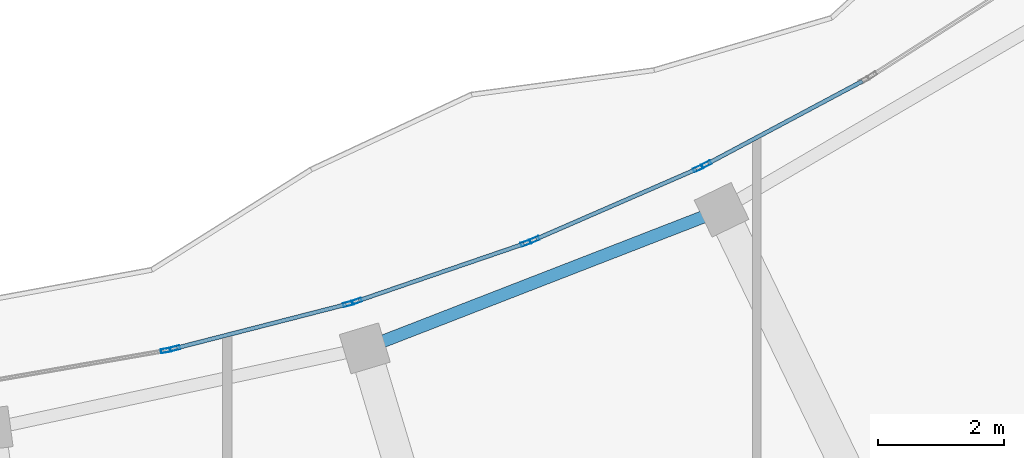
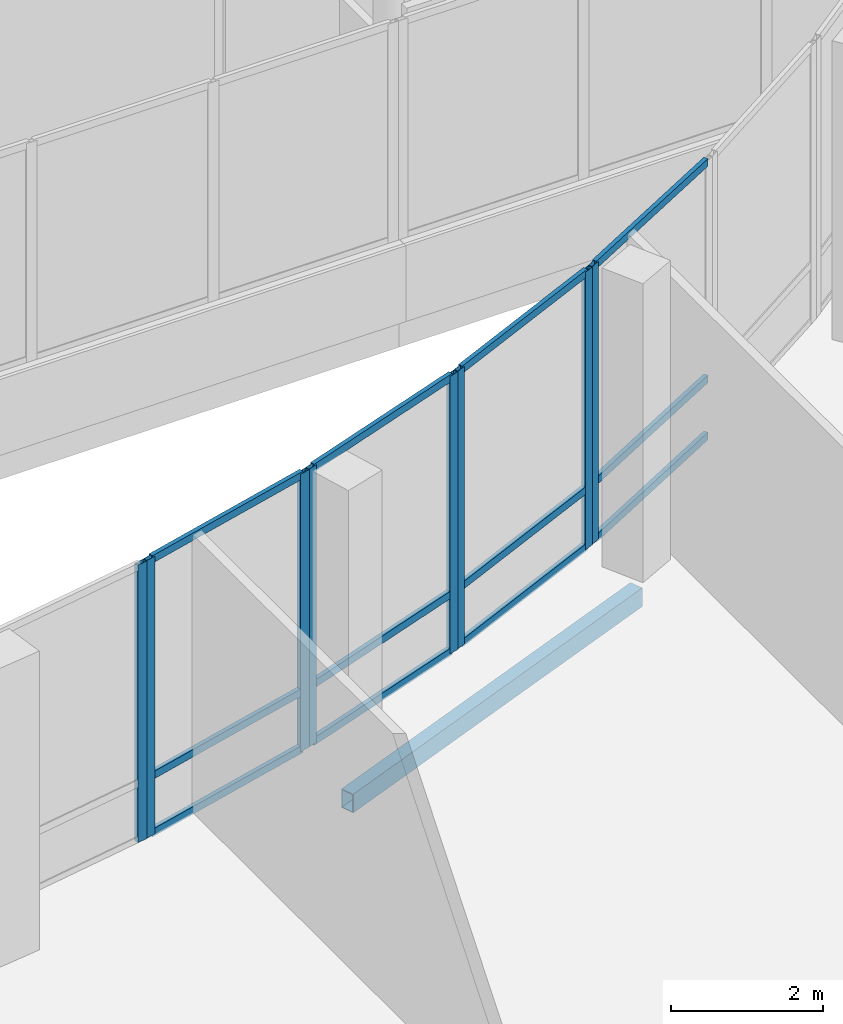
# One storey, part 35 of 155: 20 members, 1 beam, 5 elements without a shape of their own.
"""IFC4 building model written with IfcOpenShell, lengths in metres."""

from ifc_helpers import new_model, si_unit, direction, frame, origin, origin_2d, place, context, subcontext, project, spatial, hollow_rectangle, extrude, material, material_profile, profile_set, type_object, element, aggregate, save


model = new_model("IFC4")

# Units and contexts
model_context = context("Model", 3, precision=1e-05, world=origin(), true_north=direction((0.0, 1.0)))
body_context = subcontext(model_context, "Body", "Model", "MODEL_VIEW")
ifc_project = project(units=[si_unit("LENGTHUNIT", "METRE"), si_unit("AREAUNIT", "SQUARE_METRE"), si_unit("VOLUMEUNIT", "CUBIC_METRE"), si_unit("PLANEANGLEUNIT", "RADIAN"), si_unit("MASSUNIT", "GRAM", prefix="KILO")], contexts=[model_context])

# Site, building, storey
site_placement = place(None, origin())
site = spatial("IfcSite", under=ifc_project, at=site_placement, CompositionType="ELEMENT")
building_placement = place(site_placement, origin())
building = spatial("IfcBuilding", under=site, at=building_placement, Name="Selatvlak General Hospital", CompositionType="ELEMENT")
storey_placement = place(building_placement, frame((0.0, 0.0, 10.199951171875)))
storey = spatial("IfcBuildingStorey", under=building, at=storey_placement, Name="L02", CompositionType="ELEMENT", Elevation=10.199951171875)

# Beam
ifc_material_1 = material(Name="Steel S355", Category="steel")
ifc_material_profile_1 = material_profile(ifc_material_1, hollow_rectangle(XDim=0.199951171875, YDim=0.300048828125, WallThickness=0.011962890625, at=origin_2d()), Name="RHS 300x200x12")
ifc_profile_set_1 = profile_set([ifc_material_profile_1], Name="Steel S355")
beam_type = type_object("IfcBeamType", Name="BM-SP3", PredefinedType="SPANDREL", material=ifc_profile_set_1)
beam_placement = place(storey_placement, frame((66.97900390625, 42.861083984375, -0.5048828125), z_axis=(0.932142667184, 0.362091215048, 0.0), x_axis=(-0.362091215048, 0.932142667184, 0.0)))
element("IfcBeam", 1, at=beam_placement, inside=storey, type_object=beam_type, Name="Beam BMR-L02-1129", PredefinedType="SPANDREL", context=body_context, shape_type="SweptSolid", body=[
    extrude(hollow_rectangle(XDim=0.199951171875, YDim=0.300048828125, WallThickness=0.011962890625, at=origin_2d()), origin(), (0.0, 0.0, 1.0), 6.072998046875),
])

# Curtain wall, member
ifc_material_2 = material(Name="Solar-control Low-E double glazing", Category="glass")
curtain_wall_type_1 = type_object("IfcCurtainWallType", Name="CW-CW-01", PredefinedType="USERDEFINED", material=ifc_material_2)
curtain_wall_1_placement = place(storey_placement, origin())
curtain_wall_1 = element("IfcCurtainWall", 2, at=curtain_wall_1_placement, inside=storey, type_object=curtain_wall_type_1, Name="Glazed facade curtain wall CW-L02-0331", ObjectType="UNITISED CURTAIN WALL", PredefinedType="USERDEFINED")
ifc_material_3 = material(Name="Dark anodised aluminium mullion", Category="aluminium")
ifc_material_profile_2 = material_profile(ifc_material_3, hollow_rectangle(XDim=0.06494140625, YDim=0.159912109375, WallThickness=0.00390625, at=origin_2d()), Name="AL-MUL 65x160x4")
ifc_profile_set_2 = profile_set([ifc_material_profile_2], Name="Dark anodised aluminium mullion")
member_type_1 = type_object("IfcMemberType", Name="CWM-01", PredefinedType="MULLION", material=ifc_profile_set_2)
member_1_placement = place(storey_placement, frame((63.823974609375, 42.827392578125, 0.0), z_axis=(0.0, 0.0, 1.0), x_axis=(-0.170657302344, 0.985330444651, 0.0)))
member_1 = element("IfcMember", 3, at=member_1_placement, type_object=member_type_1, Name="CW-01 mullion 2", PredefinedType="MULLION", context=body_context, shape_type="SweptSolid", body=[
    extrude(hollow_rectangle(XDim=0.06494140625, YDim=0.159912109375, WallThickness=0.00390625, at=origin_2d()), origin(), (0.0, 0.0, 1.0), 4.4599609375),
])
aggregate(curtain_wall_1, [member_1])

# Curtain wall, members
curtain_wall_type_2 = type_object("IfcCurtainWallType", Name="CW-CW-02", PredefinedType="USERDEFINED", material=ifc_material_2)
curtain_wall_2_placement = place(storey_placement, origin())
curtain_wall_2 = element("IfcCurtainWall", 4, at=curtain_wall_2_placement, inside=storey, type_object=curtain_wall_type_2, Name="Glazed facade curtain wall CW-L02-0332", ObjectType="UNITISED CURTAIN WALL", PredefinedType="USERDEFINED")
member_2_placement = place(storey_placement, frame((63.965576171875, 42.860107421875, 0.0), z_axis=(0.0, 0.0, 1.0), x_axis=(-0.248607304863, 0.968604360907, 0.0)))
member_2 = element("IfcMember", 5, at=member_2_placement, type_object=member_type_1, Name="CW-02 mullion 1", PredefinedType="MULLION", context=body_context, shape_type="SweptSolid", body=[
    extrude(hollow_rectangle(XDim=0.06494140625, YDim=0.159912109375, WallThickness=0.00390625, at=origin_2d()), origin(), (0.0, 0.0, 1.0), 4.4599609375),
])
member_3_placement = place(storey_placement, frame((66.715576171875, 43.56591796875, 0.0), z_axis=(0.0, 0.0, 1.0), x_axis=(-0.248607304863, 0.968604360907, 0.0)))
member_3 = element("IfcMember", 6, at=member_3_placement, type_object=member_type_1, Name="CW-02 mullion 2", PredefinedType="MULLION", context=body_context, shape_type="SweptSolid", body=[
    extrude(hollow_rectangle(XDim=0.06494140625, YDim=0.159912109375, WallThickness=0.00390625, at=origin_2d()), origin(), (0.0, 0.0, 1.0), 4.4599609375),
])

curtain_wall_3_placement = place(storey_placement, origin())
curtain_wall_3 = element("IfcCurtainWall", 7, at=curtain_wall_3_placement, inside=storey, type_object=curtain_wall_type_1, Name="Glazed facade curtain wall CW-L02-0333", ObjectType="UNITISED CURTAIN WALL", PredefinedType="USERDEFINED")
member_4_placement = place(storey_placement, frame((66.853759765625, 43.609619140625, 0.0), z_axis=(0.0, 0.0, 1.0), x_axis=(-0.324491825998, 0.945888500226, 0.0)))
member_4 = element("IfcMember", 8, at=member_4_placement, type_object=member_type_1, Name="CW-01 mullion 1", PredefinedType="MULLION", context=body_context, shape_type="SweptSolid", body=[
    extrude(hollow_rectangle(XDim=0.06494140625, YDim=0.159912109375, WallThickness=0.00390625, at=origin_2d()), origin(), (0.0, 0.0, 1.0), 4.4599609375),
])
member_5_placement = place(storey_placement, frame((69.53515625, 44.529541015625, 0.0), z_axis=(0.0, 0.0, 1.0), x_axis=(-0.324491825998, 0.945888500226, 0.0)))
member_5 = element("IfcMember", 9, at=member_5_placement, type_object=member_type_1, Name="CW-01 mullion 2", PredefinedType="MULLION", context=body_context, shape_type="SweptSolid", body=[
    extrude(hollow_rectangle(XDim=0.06494140625, YDim=0.159912109375, WallThickness=0.00390625, at=origin_2d()), origin(), (0.0, 0.0, 1.0), 4.4599609375),
])

curtain_wall_4_placement = place(storey_placement, origin())
curtain_wall_4 = element("IfcCurtainWall", 10, at=curtain_wall_4_placement, inside=storey, type_object=curtain_wall_type_2, Name="Glazed facade curtain wall CW-L02-0334", ObjectType="UNITISED CURTAIN WALL", PredefinedType="USERDEFINED")
member_6_placement = place(storey_placement, frame((69.669677734375, 44.583984375, 0.0), z_axis=(0.0, 0.0, 1.0), x_axis=(-0.399117101371, 0.916899961497, 0.0)))
member_6 = element("IfcMember", 11, at=member_6_placement, type_object=member_type_1, Name="CW-02 mullion 1", PredefinedType="MULLION", context=body_context, shape_type="SweptSolid", body=[
    extrude(hollow_rectangle(XDim=0.06494140625, YDim=0.159912109375, WallThickness=0.00390625, at=origin_2d()), origin(), (0.0, 0.0, 1.0), 4.4599609375),
])
member_7_placement = place(storey_placement, frame((72.268310546875, 45.715087890625, 0.0), z_axis=(0.0, 0.0, 1.0), x_axis=(-0.399117101371, 0.916899961497, 0.0)))
member_7 = element("IfcMember", 12, at=member_7_placement, type_object=member_type_1, Name="CW-02 mullion 2", PredefinedType="MULLION", context=body_context, shape_type="SweptSolid", body=[
    extrude(hollow_rectangle(XDim=0.06494140625, YDim=0.159912109375, WallThickness=0.00390625, at=origin_2d()), origin(), (0.0, 0.0, 1.0), 4.4599609375),
])

# Curtain wall, member
curtain_wall_5_placement = place(storey_placement, origin())
curtain_wall_5 = element("IfcCurtainWall", 13, at=curtain_wall_5_placement, inside=storey, type_object=curtain_wall_type_1, Name="Glazed facade curtain wall CW-L02-0335", ObjectType="UNITISED CURTAIN WALL", PredefinedType="USERDEFINED")
member_8_placement = place(storey_placement, frame((72.397705078125, 45.7802734375, 0.0), z_axis=(0.0, 0.0, 1.0), x_axis=(-0.470338020096, 0.88248634372, 0.0)))
member_8 = element("IfcMember", 14, at=member_8_placement, type_object=member_type_1, Name="CW-01 mullion 1", PredefinedType="MULLION", context=body_context, shape_type="SweptSolid", body=[
    extrude(hollow_rectangle(XDim=0.06494140625, YDim=0.159912109375, WallThickness=0.00390625, at=origin_2d()), origin(), (0.0, 0.0, 1.0), 4.4599609375),
])

# Member
ifc_material_profile_3 = material_profile(ifc_material_3, hollow_rectangle(XDim=0.06494140625, YDim=0.1201171875, WallThickness=0.00390625, at=origin_2d()), Name="AL-TRN 65x120x4")
ifc_profile_set_3 = profile_set([ifc_material_profile_3], Name="Dark anodised aluminium mullion")
member_type_2 = type_object("IfcMemberType", Name="CWT-01", PredefinedType="USERDEFINED", material=ifc_profile_set_3)
member_9_placement = place(storey_placement, frame((63.9970703125, 42.8681640625, 0.032470703125), z_axis=(0.96860140011, 0.248618840206, 0.0), x_axis=(-0.248618840206, 0.96860140011, 0.0)))
member_9 = element("IfcMember", 15, at=member_9_placement, type_object=member_type_2, Name="CW-02 transom 1.1", ObjectType="TRANSOM", PredefinedType="USERDEFINED", context=body_context, shape_type="SweptSolid", body=[
    extrude(hollow_rectangle(XDim=0.06494140625, YDim=0.1201171875, WallThickness=0.00390625, at=origin_2d()), origin(), (0.0, 0.0, 1.0), 2.774169921875),
])

member_10_placement = place(storey_placement, frame((63.9970703125, 42.8681640625, 0.949951171875), z_axis=(0.96860140011, 0.248618840206, 0.0), x_axis=(-0.248618840206, 0.96860140011, 0.0)))
member_10 = element("IfcMember", 16, at=member_10_placement, type_object=member_type_2, Name="CW-02 transom 1.2", ObjectType="TRANSOM", PredefinedType="USERDEFINED", context=body_context, shape_type="SweptSolid", body=[
    extrude(hollow_rectangle(XDim=0.06494140625, YDim=0.1201171875, WallThickness=0.00390625, at=origin_2d()), origin(), (0.0, 0.0, 1.0), 2.774169921875),
])

member_11_placement = place(storey_placement, frame((63.9970703125, 42.8681640625, 4.427490234375), z_axis=(0.96860140011, 0.248618840206, 0.0), x_axis=(-0.248618840206, 0.96860140011, 0.0)))
member_11 = element("IfcMember", 17, at=member_11_placement, type_object=member_type_2, Name="CW-02 transom 1.3", ObjectType="TRANSOM", PredefinedType="USERDEFINED", context=body_context, shape_type="SweptSolid", body=[
    extrude(hollow_rectangle(XDim=0.06494140625, YDim=0.1201171875, WallThickness=0.00390625, at=origin_2d()), origin(), (0.0, 0.0, 1.0), 2.774169921875),
])

aggregate(curtain_wall_2, [member_2, member_3, member_9, member_10, member_11])

member_12_placement = place(storey_placement, frame((66.884521484375, 43.6201171875, 0.032470703125), z_axis=(0.945906537213, 0.324439243709, 0.0), x_axis=(-0.324439243709, 0.945906537213, 0.0)))
member_12 = element("IfcMember", 18, at=member_12_placement, type_object=member_type_2, Name="CW-01 transom 1.1", ObjectType="TRANSOM", PredefinedType="USERDEFINED", context=body_context, shape_type="SweptSolid", body=[
    extrude(hollow_rectangle(XDim=0.06494140625, YDim=0.1201171875, WallThickness=0.00390625, at=origin_2d()), origin(), (0.0, 0.0, 1.0), 2.77001953125),
])

member_13_placement = place(storey_placement, frame((66.884521484375, 43.6201171875, 0.949951171875), z_axis=(0.945906537213, 0.324439243709, 0.0), x_axis=(-0.324439243709, 0.945906537213, 0.0)))
member_13 = element("IfcMember", 19, at=member_13_placement, type_object=member_type_2, Name="CW-01 transom 1.2", ObjectType="TRANSOM", PredefinedType="USERDEFINED", context=body_context, shape_type="SweptSolid", body=[
    extrude(hollow_rectangle(XDim=0.06494140625, YDim=0.1201171875, WallThickness=0.00390625, at=origin_2d()), origin(), (0.0, 0.0, 1.0), 2.77001953125),
])

member_14_placement = place(storey_placement, frame((66.884521484375, 43.6201171875, 4.427490234375), z_axis=(0.945906537213, 0.324439243709, 0.0), x_axis=(-0.324439243709, 0.945906537213, 0.0)))
member_14 = element("IfcMember", 20, at=member_14_placement, type_object=member_type_2, Name="CW-01 transom 1.3", ObjectType="TRANSOM", PredefinedType="USERDEFINED", context=body_context, shape_type="SweptSolid", body=[
    extrude(hollow_rectangle(XDim=0.06494140625, YDim=0.1201171875, WallThickness=0.00390625, at=origin_2d()), origin(), (0.0, 0.0, 1.0), 2.77001953125),
])

aggregate(curtain_wall_3, [member_4, member_5, member_12, member_13, member_14])

member_15_placement = place(storey_placement, frame((69.69970703125, 44.596923828125, 0.032470703125), z_axis=(0.916872279603, 0.399180689533, 0.0), x_axis=(-0.399180689533, 0.916872279603, 0.0)))
member_15 = element("IfcMember", 21, at=member_15_placement, type_object=member_type_2, Name="CW-02 transom 1.1", ObjectType="TRANSOM", PredefinedType="USERDEFINED", context=body_context, shape_type="SweptSolid", body=[
    extrude(hollow_rectangle(XDim=0.06494140625, YDim=0.1201171875, WallThickness=0.00390625, at=origin_2d()), origin(), (0.0, 0.0, 1.0), 2.768798828125),
])

member_16_placement = place(storey_placement, frame((69.69970703125, 44.596923828125, 0.949951171875), z_axis=(0.916872279603, 0.399180689533, 0.0), x_axis=(-0.399180689533, 0.916872279603, 0.0)))
member_16 = element("IfcMember", 22, at=member_16_placement, type_object=member_type_2, Name="CW-02 transom 1.2", ObjectType="TRANSOM", PredefinedType="USERDEFINED", context=body_context, shape_type="SweptSolid", body=[
    extrude(hollow_rectangle(XDim=0.06494140625, YDim=0.1201171875, WallThickness=0.00390625, at=origin_2d()), origin(), (0.0, 0.0, 1.0), 2.768798828125),
])

member_17_placement = place(storey_placement, frame((69.69970703125, 44.596923828125, 4.427490234375), z_axis=(0.916872279603, 0.399180689533, 0.0), x_axis=(-0.399180689533, 0.916872279603, 0.0)))
member_17 = element("IfcMember", 23, at=member_17_placement, type_object=member_type_2, Name="CW-02 transom 1.3", ObjectType="TRANSOM", PredefinedType="USERDEFINED", context=body_context, shape_type="SweptSolid", body=[
    extrude(hollow_rectangle(XDim=0.06494140625, YDim=0.1201171875, WallThickness=0.00390625, at=origin_2d()), origin(), (0.0, 0.0, 1.0), 2.768798828125),
])

aggregate(curtain_wall_4, [member_6, member_7, member_15, member_16, member_17])

member_18_placement = place(storey_placement, frame((72.42626953125, 45.795654296875, 0.032470703125), z_axis=(0.882528266183, 0.470259353323, 0.0), x_axis=(-0.470259353323, 0.882528266183, 0.0)))
member_18 = element("IfcMember", 24, at=member_18_placement, type_object=member_type_2, Name="CW-01 transom 1.1", ObjectType="TRANSOM", PredefinedType="USERDEFINED", context=body_context, shape_type="SweptSolid", body=[
    extrude(hollow_rectangle(XDim=0.06494140625, YDim=0.1201171875, WallThickness=0.00390625, at=origin_2d()), origin(), (0.0, 0.0, 1.0), 2.7744140625),
])

member_19_placement = place(storey_placement, frame((72.42626953125, 45.795654296875, 0.949951171875), z_axis=(0.882528266183, 0.470259353323, 0.0), x_axis=(-0.470259353323, 0.882528266183, 0.0)))
member_19 = element("IfcMember", 25, at=member_19_placement, type_object=member_type_2, Name="CW-01 transom 1.2", ObjectType="TRANSOM", PredefinedType="USERDEFINED", context=body_context, shape_type="SweptSolid", body=[
    extrude(hollow_rectangle(XDim=0.06494140625, YDim=0.1201171875, WallThickness=0.00390625, at=origin_2d()), origin(), (0.0, 0.0, 1.0), 2.7744140625),
])

member_20_placement = place(storey_placement, frame((72.42626953125, 45.795654296875, 4.427490234375), z_axis=(0.882528266183, 0.470259353323, 0.0), x_axis=(-0.470259353323, 0.882528266183, 0.0)))
member_20 = element("IfcMember", 26, at=member_20_placement, type_object=member_type_2, Name="CW-01 transom 1.3", ObjectType="TRANSOM", PredefinedType="USERDEFINED", context=body_context, shape_type="SweptSolid", body=[
    extrude(hollow_rectangle(XDim=0.06494140625, YDim=0.1201171875, WallThickness=0.00390625, at=origin_2d()), origin(), (0.0, 0.0, 1.0), 2.7744140625),
])

aggregate(curtain_wall_5, [member_8, member_18, member_19, member_20])

save(model, "model.ifc")
